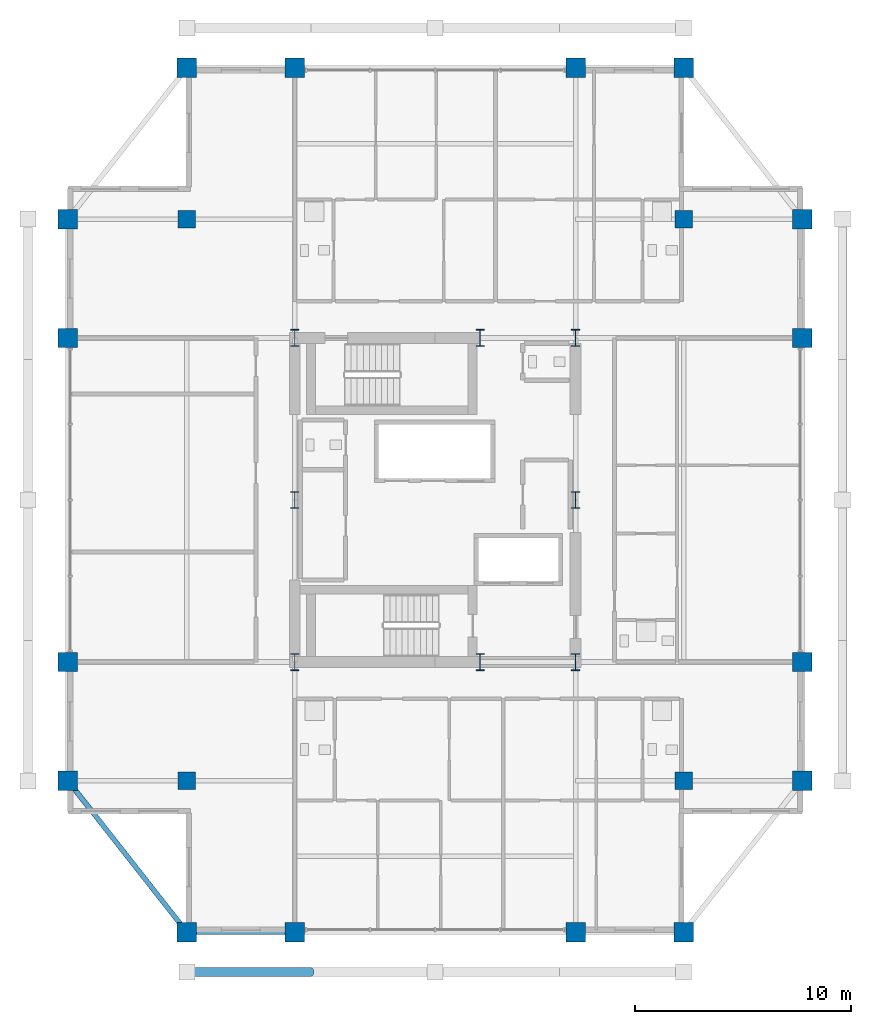
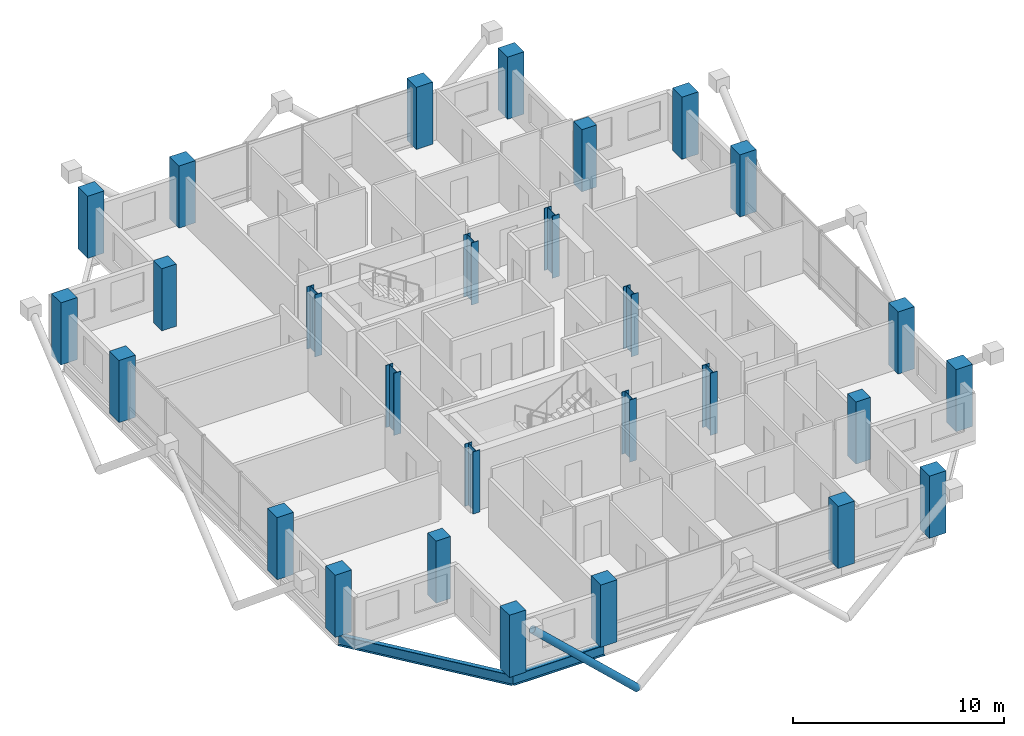
# One storey, part 1 of 23: 28 columns, 2 beams, 1 member.
"""IFC4 building model written with IfcOpenShell, lengths in metres."""

from ifc_helpers import new_model, si_unit, direction, frame, origin, origin_2d, place, context, subcontext, project, spatial, rectangle, hollow_circle, i_section, extrude, material, material_profile, profile_set, type_object, element, save


model = new_model("IFC4")

# Units and contexts
model_context = context("Model", 3, precision=1e-05, world=origin(), true_north=direction((0.0, 1.0)))
body_context = subcontext(model_context, "Body", "Model", "MODEL_VIEW")
ifc_project = project(units=[si_unit("LENGTHUNIT", "METRE"), si_unit("AREAUNIT", "SQUARE_METRE"), si_unit("VOLUMEUNIT", "CUBIC_METRE"), si_unit("PLANEANGLEUNIT", "RADIAN"), si_unit("MASSUNIT", "GRAM", prefix="KILO")], contexts=[model_context])

# Site, building, storey
site_placement = place(None, origin())
site = spatial("IfcSite", under=ifc_project, at=site_placement, CompositionType="ELEMENT")
building_placement = place(site_placement, origin())
building = spatial("IfcBuilding", under=site, at=building_placement, Name="Barlavira Tower and Art Museum", CompositionType="ELEMENT")
storey_placement = place(building_placement, frame((0.0, 0.0, 236.699951171875)))
storey = spatial("IfcBuildingStorey", under=building, at=storey_placement, Name="L61", CompositionType="ELEMENT", Elevation=236.699951171875)

# Columns
ifc_material_1 = material(Name="Steel S355", Category="steel")
ifc_material_profile_1 = material_profile(ifc_material_1, i_section(OverallWidth=0.382080078125, OverallDepth=0.785888671875, WebThickness=0.02001953125, FlangeThickness=0.032958984375, at=origin_2d()), Name="W760x314.0")
ifc_profile_set_1 = profile_set([ifc_material_profile_1], Name="Steel S355")
column_type_1 = type_object("IfcColumnType", Name="Core Composite Column W760x314 Steel S355", PredefinedType="COLUMN", material=ifc_profile_set_1)
for number, where, z_axis, x_axis, name in (
    (1, (-6.5, -7.5, 0.0), (0.0, 0.0, 1.0), (1.0, 0.0, 0.0), "L61 Column CC-L61-C1"),
    (2, (2.080078125, -7.5, 0.0), (0.0, 0.0, 1.0), (1.0, 0.0, 0.0), "L61 Column CC-L61-C2"),
    (3, (6.5, -7.5, 0.0), (0.0, 0.0, 1.0), (1.0, 0.0, 0.0), "L61 Column CC-L61-C3"),
    (4, (-6.5, 0.0, 0.0), (0.0, 0.0, 1.0), (1.0, 0.0, 0.0), "L61 Column CC-L61-C4"),
    (5, (6.5, 0.0, 0.0), (0.0, 0.0, 1.0), (1.0, 0.0, 0.0), "L61 Column CC-L61-C5"),
    (6, (-6.5, 7.5, 0.0), (0.0, 0.0, 1.0), (1.0, 0.0, 0.0), "L61 Column CC-L61-C6"),
    (7, (2.080078125, 7.5, 0.0), (0.0, 0.0, 1.0), (1.0, 0.0, 0.0), "L61 Column CC-L61-C7"),
    (8, (6.5, 7.5, 0.0), (0.0, 0.0, 1.0), (1.0, 0.0, 0.0), "L61 Column CC-L61-C8"),
):
    element("IfcColumn", number, at=place(storey_placement, frame(where, z_axis=z_axis, x_axis=x_axis)), inside=storey, type_object=column_type_1, Name=name, PredefinedType="COLUMN", context=body_context, shape_type="SweptSolid", body=[
        extrude(i_section(OverallWidth=0.382080078125, OverallDepth=0.785888671875, WebThickness=0.02001953125, FlangeThickness=0.032958984375, at=origin_2d()), origin(), (0.0, 0.0, 1.0), 3.60009765625),
    ])
ifc_material_2 = material(Name="Concrete C50", Category="concrete")
ifc_material_profile_2 = material_profile(ifc_material_2, rectangle(XDim=0.89990234375, YDim=0.89990234375, at=origin_2d()), Name="RC-COL 900x900")
ifc_profile_set_2 = profile_set([ifc_material_profile_2], Name="Concrete C50")
column_type_2 = type_object("IfcColumnType", Name="Perimeter Mega Column 900x900 Concrete C50", PredefinedType="USERDEFINED", material=ifc_profile_set_2)
for number, where, z_axis, x_axis, name in (
    (9, (-11.5, -20.0, 0.0), (0.0, 0.0, 1.0), (1.0, 0.0, 0.0), "L61 Column MC-L61-M01"),
    (10, (-6.5, -20.0, 0.0), (0.0, 0.0, 1.0), (1.0, 0.0, 0.0), "L61 Column MC-L61-M02"),
    (11, (6.5, -20.0, 0.0), (0.0, 0.0, 1.0), (1.0, 0.0, 0.0), "L61 Column MC-L61-M03"),
    (12, (11.5, -20.0, 0.0), (0.0, 0.0, 1.0), (1.0, 0.0, 0.0), "L61 Column MC-L61-M04"),
    (13, (17.0, -13.0, 0.0), (0.0, 0.0, 1.0), (1.0, 0.0, 0.0), "L61 Column MC-L61-M05"),
    (14, (17.0, -7.5, 0.0), (0.0, 0.0, 1.0), (1.0, 0.0, 0.0), "L61 Column MC-L61-M06"),
    (15, (17.0, 7.5, 0.0), (0.0, 0.0, 1.0), (1.0, 0.0, 0.0), "L61 Column MC-L61-M07"),
    (16, (17.0, 13.0, 0.0), (0.0, 0.0, 1.0), (1.0, 0.0, 0.0), "L61 Column MC-L61-M08"),
    (17, (11.5, 20.0, 0.0), (0.0, 0.0, 1.0), (1.0, 0.0, 0.0), "L61 Column MC-L61-M09"),
    (18, (6.5, 20.0, 0.0), (0.0, 0.0, 1.0), (1.0, 0.0, 0.0), "L61 Column MC-L61-M10"),
    (19, (-6.5, 20.0, 0.0), (0.0, 0.0, 1.0), (1.0, 0.0, 0.0), "L61 Column MC-L61-M11"),
    (20, (-11.5, 20.0, 0.0), (0.0, 0.0, 1.0), (1.0, 0.0, 0.0), "L61 Column MC-L61-M12"),
    (21, (-17.0, 13.0, 0.0), (0.0, 0.0, 1.0), (1.0, 0.0, 0.0), "L61 Column MC-L61-M13"),
    (22, (-17.0, 7.5, 0.0), (0.0, 0.0, 1.0), (1.0, 0.0, 0.0), "L61 Column MC-L61-M14"),
    (23, (-17.0, -7.5, 0.0), (0.0, 0.0, 1.0), (1.0, 0.0, 0.0), "L61 Column MC-L61-M15"),
    (24, (-17.0, -13.0, 0.0), (0.0, 0.0, 1.0), (1.0, 0.0, 0.0), "L61 Column MC-L61-M16"),
):
    element("IfcColumn", number, at=place(storey_placement, frame(where, z_axis=z_axis, x_axis=x_axis)), inside=storey, type_object=column_type_2, Name=name, ObjectType="MEGA COLUMN", PredefinedType="USERDEFINED", context=body_context, shape_type="SweptSolid", body=[
        extrude(rectangle(XDim=0.89990234375, YDim=0.89990234375, at=origin_2d()), origin(), (0.0, 0.0, 1.0), 3.60009765625),
    ])
ifc_material_profile_3 = material_profile(ifc_material_2, rectangle(XDim=0.800048828125, YDim=0.800048828125, at=origin_2d()), Name="RC-COL 800x800")
ifc_profile_set_3 = profile_set([ifc_material_profile_3], Name="Concrete C50")
column_type_3 = type_object("IfcColumnType", Name="Podium Frame Column 800x800 Concrete C50", PredefinedType="COLUMN", material=ifc_profile_set_3)
for number, where, z_axis, x_axis, name in (
    (25, (-11.5, -13.0, 0.0), (0.0, 0.0, 1.0), (1.0, 0.0, 0.0), "L61 Column CI-L61-I1"),
    (26, (11.5, -13.0, 0.0), (0.0, 0.0, 1.0), (1.0, 0.0, 0.0), "L61 Column CI-L61-I2"),
    (27, (-11.5, 13.0, 0.0), (0.0, 0.0, 1.0), (1.0, 0.0, 0.0), "L61 Column CI-L61-I3"),
    (28, (11.5, 13.0, 0.0), (0.0, 0.0, 1.0), (1.0, 0.0, 0.0), "L61 Column CI-L61-I4"),
):
    element("IfcColumn", number, at=place(storey_placement, frame(where, z_axis=z_axis, x_axis=x_axis)), inside=storey, type_object=column_type_3, Name=name, PredefinedType="COLUMN", context=body_context, shape_type="SweptSolid", body=[
        extrude(rectangle(XDim=0.800048828125, YDim=0.800048828125, at=origin_2d()), origin(), (0.0, 0.0, 1.0), 3.60009765625),
    ])

# Member
ifc_material_profile_4 = material_profile(ifc_material_1, hollow_circle(Radius=0.203125, WallThickness=0.01611328125, at=origin_2d()), Name="CHS 406.4x16.0")
ifc_profile_set_4 = profile_set([ifc_material_profile_4], Name="Steel S355")
member_type = type_object("IfcMemberType", Name="Pale-Metal Exoskeleton Diagrid Tube CHS 406x16 Steel S355", PredefinedType="BRACE", material=ifc_profile_set_4)
member_placement = place(storey_placement, frame((-5.75, -21.85009765625, -1.919921875), z_axis=(-0.728950095515, 0.0, 0.684566839869), x_axis=(0.0, -1.0, 0.0)))
element("IfcMember", 29, at=member_placement, inside=storey, type_object=member_type, Name="L61 Exoskeleton Diagrid Tube S", PredefinedType="BRACE", context=body_context, shape_type="SweptSolid", body=[
    extrude(hollow_circle(Radius=0.203125, WallThickness=0.01611328125, at=origin_2d()), origin(), (0.0, 0.0, 1.0), 7.887939453125),
])

# Beams
ifc_material_profile_5 = material_profile(ifc_material_1, i_section(OverallWidth=0.22998046875, OverallDepth=0.616943359375, WebThickness=0.01318359375, FlangeThickness=0.022216796875, at=origin_2d()), Name="W610x140.0")
ifc_profile_set_5 = profile_set([ifc_material_profile_5], Name="Steel S355")
beam_type = type_object("IfcBeamType", Name="Upper Shaft Spandrel Edge Beam W610x140 Steel S355", PredefinedType="SPANDREL", material=ifc_profile_set_5)
beam_1_placement = place(storey_placement, frame((-11.5, -20.0, -0.528564453125), z_axis=(1.0, 0.0, 0.0), x_axis=(0.0, 1.0, 0.0)))
element("IfcBeam", 30, at=beam_1_placement, inside=storey, type_object=beam_type, Name="L61 Spandrel 1", PredefinedType="SPANDREL", context=body_context, shape_type="SweptSolid", body=[
    extrude(i_section(OverallWidth=0.22998046875, OverallDepth=0.616943359375, WebThickness=0.01318359375, FlangeThickness=0.022216796875, at=origin_2d()), origin(), (0.0, 0.0, 1.0), 5.0),
])
beam_2_placement = place(storey_placement, frame((-17.0, -13.0, -0.528564453125), z_axis=(0.617821551932, -0.786318338822, 0.0), x_axis=(0.786318338822, 0.617821551932, 0.0)))
element("IfcBeam", 31, at=beam_2_placement, inside=storey, type_object=beam_type, Name="L61 Spandrel 16", PredefinedType="SPANDREL", context=body_context, shape_type="SweptSolid", body=[
    extrude(i_section(OverallWidth=0.22998046875, OverallDepth=0.616943359375, WebThickness=0.01318359375, FlangeThickness=0.022216796875, at=origin_2d()), origin(), (0.0, 0.0, 1.0), 8.90234375),
])

save(model, "model.ifc")
